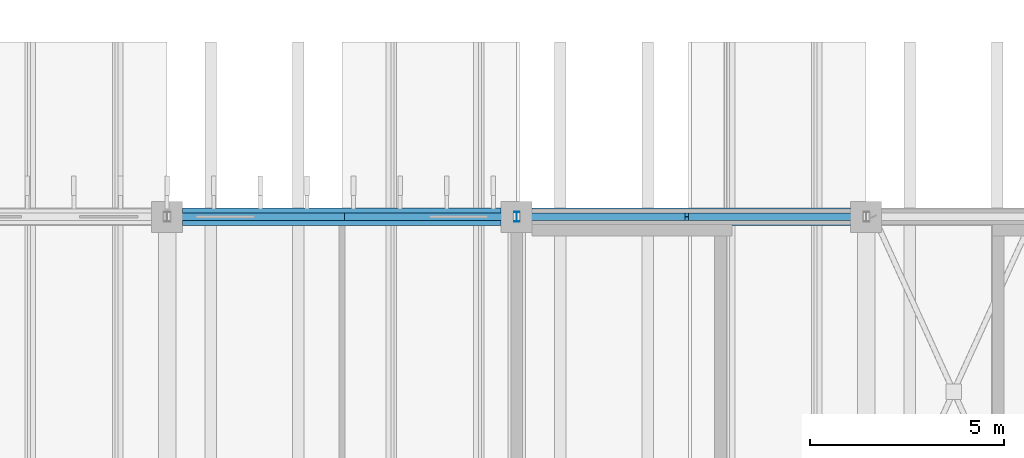
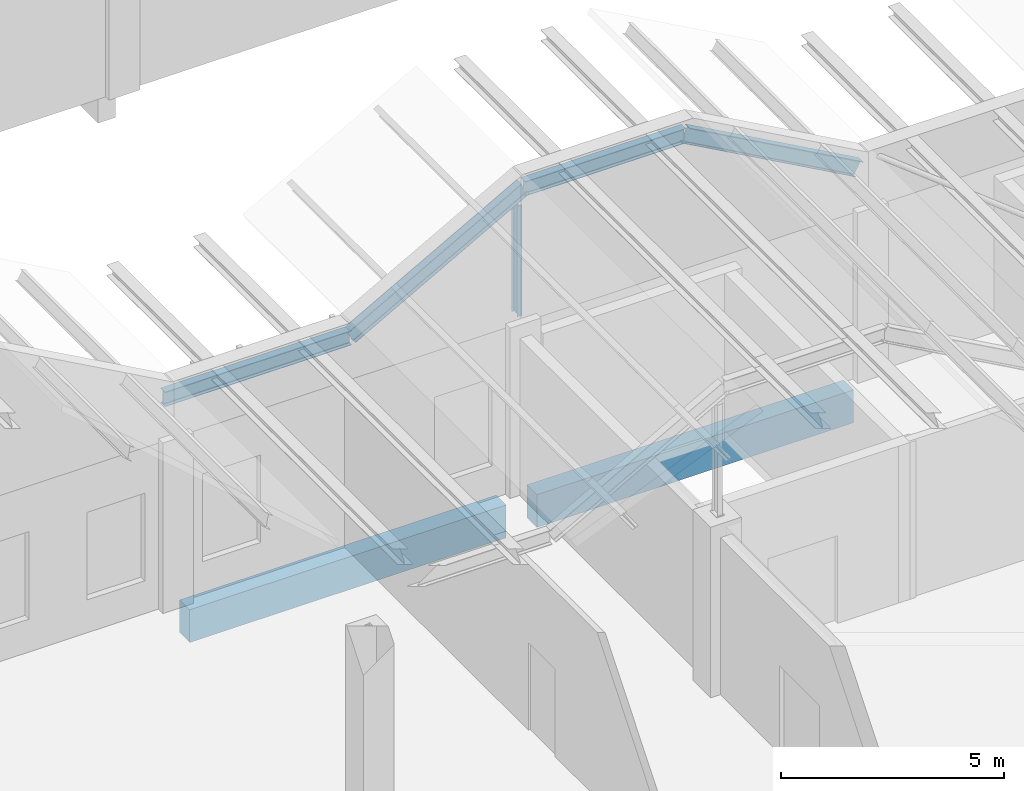
# One storey, part 69 of 437: 5 members, 2 beams.
"""IFC4 building model written with IfcOpenShell, lengths in metres."""

from ifc_helpers import new_model, si_unit, direction, frame, origin, origin_2d, place, context, subcontext, project, spatial, rectangle, i_section, extrude, material, material_profile, profile_set, type_object, element, save


model = new_model("IFC4")

# Units and contexts
model_context = context("Model", 3, precision=1e-05, world=origin(), true_north=direction((0.0, 1.0)))
body_context = subcontext(model_context, "Body", "Model", "MODEL_VIEW")
ifc_project = project(units=[si_unit("LENGTHUNIT", "METRE"), si_unit("AREAUNIT", "SQUARE_METRE"), si_unit("VOLUMEUNIT", "CUBIC_METRE"), si_unit("PLANEANGLEUNIT", "RADIAN"), si_unit("MASSUNIT", "GRAM", prefix="KILO")], contexts=[model_context])

# Site, building, storey
site_placement = place(None, origin())
site = spatial("IfcSite", under=ifc_project, at=site_placement, CompositionType="ELEMENT")
building_placement = place(site_placement, origin())
building = spatial("IfcBuilding", under=site, at=building_placement, Name="Opaline Strait Convention Centre", CompositionType="ELEMENT")
storey_placement = place(building_placement, frame((0.0, 0.0, 11.5)))
storey = spatial("IfcBuildingStorey", under=building, at=storey_placement, Name="L02", CompositionType="ELEMENT", Elevation=11.5)

# Beams
ifc_material_1 = material(Name="Concrete C35", Category="concrete")
ifc_material_profile_1 = material_profile(ifc_material_1, rectangle(XDim=0.449951171875, YDim=0.89990234375, at=origin_2d()), Name="RC 450x900")
ifc_profile_set_1 = profile_set([ifc_material_profile_1], Name="Concrete C35")
beam_type = type_object("IfcBeamType", Name="RC beam 450x900 C35", PredefinedType="BEAM", material=ifc_profile_set_1)
for number, where, z_axis, x_axis, name in (
    (1, (54.39990234375, 99.0, -0.72998046875), (1.0, 0.0, 0.0), (0.0, 1.0, 0.0), "XB1 L02 54/99-63/99"),
    (2, (63.39990234375, 99.0, -0.72998046875), (1.0, 0.0, 0.0), (0.0, 1.0, 0.0), "XB1 L02 63/99-72/99"),
):
    element("IfcBeam", number, at=place(storey_placement, frame(where, z_axis=z_axis, x_axis=x_axis)), inside=storey, type_object=beam_type, Name=name, PredefinedType="BEAM", context=body_context, shape_type="SweptSolid", body=[
        extrude(rectangle(XDim=0.449951171875, YDim=0.89990234375, at=origin_2d()), origin(), (0.0, 0.0, 1.0), 8.2001953125),
    ])

# Members
ifc_material_2 = material(Name="Steel Q355B", Category="steel")
ifc_material_profile_2 = material_profile(ifc_material_2, i_section(OverallWidth=0.125, OverallDepth=0.25, WebThickness=0.006103515625, FlangeThickness=0.009033203125, FilletRadius=0.008056640625, at=origin_2d()), Name="HN 250x125x6x9")
ifc_profile_set_2 = profile_set([ifc_material_profile_2], Name="Steel Q355B")
member_type_1 = type_object("IfcMemberType", Name="Roof post HN 250x125x6x9", PredefinedType="STRUT", material=ifc_profile_set_2)
member_1_placement = place(storey_placement, frame((63.0, 99.0, 4.68994140625), z_axis=(0.0, 0.0, 1.0), x_axis=(1.0, 0.0, 0.0)))
element("IfcMember", 3, at=member_1_placement, inside=storey, type_object=member_type_1, Name="RP1 roof post at 63/99", PredefinedType="STRUT", context=body_context, shape_type="SweptSolid", body=[
    extrude(i_section(OverallWidth=0.125, OverallDepth=0.25, WebThickness=0.006103515625, FlangeThickness=0.009033203125, FilletRadius=0.008056640625, at=origin_2d()), origin(), (0.0, 0.0, 1.0), 3.031005859375),
])
ifc_material_profile_3 = material_profile(ifc_material_2, i_section(OverallWidth=0.199951171875, OverallDepth=0.39990234375, WebThickness=0.008056640625, FlangeThickness=0.012939453125, FilletRadius=0.012939453125, at=origin_2d()), Name="HN 400x200x8x13")
ifc_profile_set_3 = profile_set([ifc_material_profile_3], Name="Steel Q355B")
member_type_2 = type_object("IfcMemberType", Name="Roof rafter HN 400x200x8x13", PredefinedType="RAFTER", material=ifc_profile_set_3)
member_2_placement = place(storey_placement, frame((53.83154296875, 99.0, 5.60009765625), z_axis=(1.0, 0.0, 0.0), x_axis=(0.0, 1.0, 0.0)))
element("IfcMember", 4, at=member_2_placement, inside=storey, type_object=member_type_2, Name="RR1 rafter line 11 facet 12", PredefinedType="RAFTER", context=body_context, shape_type="SweptSolid", body=[
    extrude(i_section(OverallWidth=0.199951171875, OverallDepth=0.39990234375, WebThickness=0.008056640625, FlangeThickness=0.012939453125, FilletRadius=0.012939453125, at=origin_2d()), origin(), (0.0, 0.0, 1.0), 4.8369140625),
])
member_3_placement = place(storey_placement, frame((58.66845703125, 99.0, 5.60009765625), z_axis=(0.874157276122, 0.0, 0.485642931179), x_axis=(0.0, 1.0, 0.0)))
element("IfcMember", 5, at=member_3_placement, inside=storey, type_object=member_type_2, Name="RR1 rafter line 11 facet 13", PredefinedType="RAFTER", context=body_context, shape_type="SweptSolid", body=[
    extrude(i_section(OverallWidth=0.199951171875, OverallDepth=0.39990234375, WebThickness=0.008056640625, FlangeThickness=0.012939453125, FilletRadius=0.012939453125, at=origin_2d()), origin(), (0.0, 0.0, 1.0), 5.147705078125),
])
member_4_placement = place(storey_placement, frame((63.16845703125, 99.0, 8.10009765625), z_axis=(1.0, 0.0, 0.0), x_axis=(0.0, 1.0, 0.0)))
element("IfcMember", 6, at=member_4_placement, inside=storey, type_object=member_type_2, Name="RR1 rafter line 11 facet 14", PredefinedType="RAFTER", context=body_context, shape_type="SweptSolid", body=[
    extrude(i_section(OverallWidth=0.199951171875, OverallDepth=0.39990234375, WebThickness=0.008056640625, FlangeThickness=0.012939453125, FilletRadius=0.012939453125, at=origin_2d()), origin(), (0.0, 0.0, 1.0), 4.1630859375),
])
member_5_placement = place(storey_placement, frame((67.33154296875, 99.0, 8.10009765625), z_axis=(0.874157276122, 0.0, -0.485642931179), x_axis=(0.0, 1.0, 0.0)))
element("IfcMember", 7, at=member_5_placement, inside=storey, type_object=member_type_2, Name="RR1 rafter line 11 facet 15", PredefinedType="RAFTER", context=body_context, shape_type="SweptSolid", body=[
    extrude(i_section(OverallWidth=0.199951171875, OverallDepth=0.39990234375, WebThickness=0.008056640625, FlangeThickness=0.012939453125, FilletRadius=0.012939453125, at=origin_2d()), origin(), (0.0, 0.0, 1.0), 5.147705078125),
])

save(model, "model.ifc")
